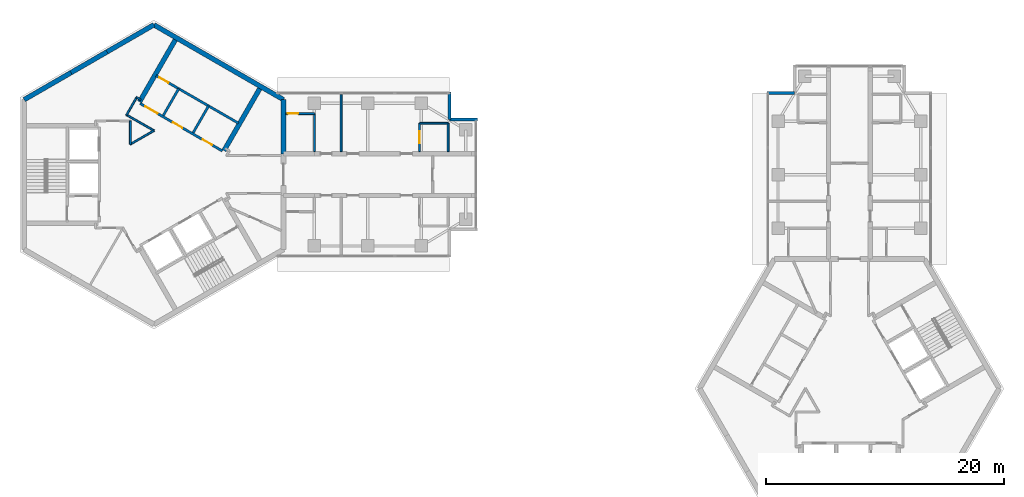
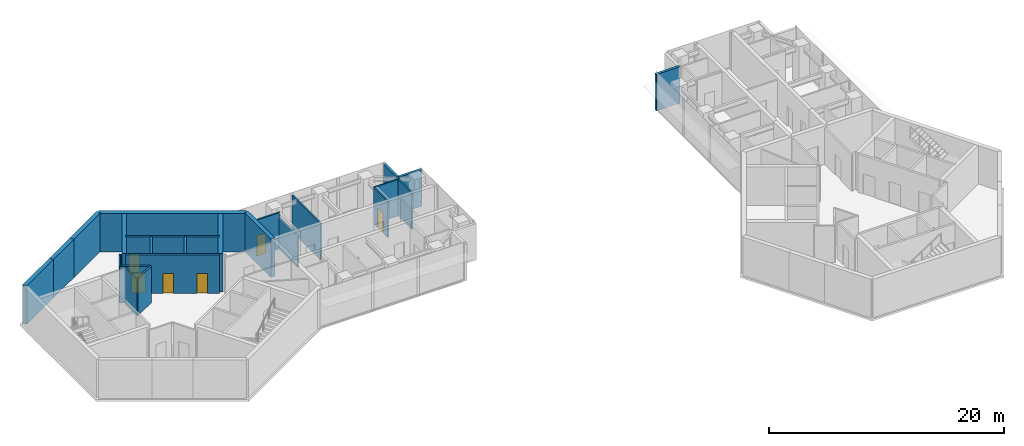
# One storey, part 7 of 11: 25 walls, 6 doors, 6 openings.
"""IFC4 building model written with IfcOpenShell, lengths in metres."""

from ifc_helpers import new_model, si_unit, direction, frame, frame_2d, origin, place, context, subcontext, project, spatial, rectangle, extrude, material, layer, layer_set, type_object, element, fill, save


model = new_model("IFC4")

# Units and contexts
model_context = context("Model", 3, precision=1e-05, world=origin(), true_north=direction((0.0, 1.0)))
body_context = subcontext(model_context, "Body", "Model", "MODEL_VIEW")
ifc_project = project(units=[si_unit("LENGTHUNIT", "METRE"), si_unit("AREAUNIT", "SQUARE_METRE"), si_unit("VOLUMEUNIT", "CUBIC_METRE"), si_unit("PLANEANGLEUNIT", "RADIAN"), si_unit("MASSUNIT", "GRAM", prefix="KILO")], contexts=[model_context])

# Site, building, storey
site_placement = place(None, origin())
site = spatial("IfcSite", under=ifc_project, at=site_placement, CompositionType="ELEMENT")
building_placement = place(site_placement, origin())
building = spatial("IfcBuilding", under=site, at=building_placement, Name="Upepo Twin Towers", CompositionType="ELEMENT")
storey_placement = place(building_placement, frame((0.0, 0.0, 255.5)))
storey = spatial("IfcBuildingStorey", under=building, at=storey_placement, Name="L62", CompositionType="ELEMENT", Elevation=255.5)

# Walls
ifc_material_1 = material(Name="Concrete C60/75", Category="concrete")
ifc_layer_1 = layer(ifc_material_1, 0.39990234375)
ifc_layer_set_1 = layer_set([ifc_layer_1], Name="Concrete C60/75")
wall_type_1 = type_object("IfcWallType", Name="Core wall 400 RC", PredefinedType="SHEAR", material=ifc_layer_set_1)
wall_1_placement = place(storey_placement, frame((10.908447265625, 1.75, 0.0), z_axis=(0.0, 0.0, 1.0), x_axis=(0.0, 1.0, 0.0)))
element("IfcWall", 1, at=wall_1_placement, inside=storey, type_object=wall_type_1, Name="T1 core wall 000 L", PredefinedType="SHEAR", context=body_context, shape_type="SweptSolid", body=[
    extrude(rectangle(XDim=4.5478515625, YDim=0.39990234375, at=frame_2d((2.27392578125, 0.0))), origin(), (0.0, 0.0, 1.0), 4.0),
])
wall_2_placement = place(storey_placement, frame((10.908447265625, 6.2978515625, 0.0), z_axis=(0.0, 0.0, 1.0), x_axis=(-0.866021940709, 0.500005998175, 0.0)))
element("IfcWall", 2, at=wall_2_placement, inside=storey, type_object=wall_type_1, Name="T1 core wall 060", PredefinedType="SHEAR", context=body_context, shape_type="SweptSolid", body=[
    extrude(rectangle(XDim=12.595947265625, YDim=0.39990234375, at=frame_2d((6.2978515625, 0.0))), origin(), (0.0, 0.0, 1.0), 4.0),
])
wall_3_placement = place(storey_placement, frame((0.0, 12.595947265625, 0.0), z_axis=(0.0, 0.0, 1.0), x_axis=(-0.866011268655, -0.500024481964, 0.0)))
element("IfcWall", 3, at=wall_3_placement, inside=storey, type_object=wall_type_1, Name="T1 core wall 120 R", PredefinedType="SHEAR", context=body_context, shape_type="SweptSolid", body=[
    extrude(rectangle(XDim=4.548095703125, YDim=0.39990234375, at=frame_2d((2.27392578125, 0.0))), origin(), (0.0, 0.0, 1.0), 4.0),
])
wall_4_placement = place(storey_placement, frame((-3.938720703125, 10.32177734375, 0.0), z_axis=(0.0, 0.0, 1.0), x_axis=(-0.866019471182, -0.500010275428, 0.0)))
element("IfcWall", 4, at=wall_4_placement, inside=storey, type_object=wall_type_1, Name="T1 core wall 120", PredefinedType="SHEAR", context=body_context, shape_type="SweptSolid", body=[
    extrude(rectangle(XDim=3.5, YDim=0.39990234375, at=frame_2d((1.75, 0.0))), origin(), (0.0, 0.0, 1.0), 4.0),
])
wall_5_placement = place(storey_placement, frame((-6.9697265625, 8.57177734375, 0.0), z_axis=(0.0, 0.0, 1.0), x_axis=(-0.866034513004, -0.499984222037, 0.0)))
element("IfcWall", 5, at=wall_5_placement, inside=storey, type_object=wall_type_1, Name="T1 core wall 120 L", PredefinedType="SHEAR", context=body_context, shape_type="SweptSolid", body=[
    extrude(rectangle(XDim=4.548095703125, YDim=0.39990234375, at=frame_2d((2.27392578125, 0.0))), origin(), (0.0, 0.0, 1.0), 4.0),
])
ifc_material_2 = material(Name="Blockwork with anodised aluminium cladding", Category="masonry")
ifc_layer_2 = layer(ifc_material_2, 0.25)
ifc_layer_set_2 = layer_set([ifc_layer_2], Name="Notch cladding wall 250, pale metal")
wall_type_2 = type_object("IfcWallType", Name="Notch cladding wall 250, pale metal", PredefinedType="STANDARD", material=ifc_layer_set_2)
for number, where, z_axis, x_axis, name in (
    (6, (24.875, 6.949951171875, 0.0), (0.0, 0.0, 1.0), (0.0, -1.0, 0.0), "T1 L62 wing A notch wall L1"),
    (7, (24.875, 4.625, 0.0), (0.0, 0.0, 1.0), (1.0, 0.0, 0.0), "T1 L62 wing A notch wall L2"),
    (8, (51.550048828125, 6.875, 0.0), (0.0, 0.0, 1.0), (1.0, 0.0, 0.0), "T2 L62 wing A notch wall L1"),
):
    element("IfcWall", number, at=place(storey_placement, frame(where, z_axis=z_axis, x_axis=x_axis)), inside=storey, type_object=wall_type_2, Name=name, PredefinedType="STANDARD", context=body_context, shape_type="SweptSolid", body=[
        extrude(rectangle(XDim=2.324951171875, YDim=0.25, at=frame_2d((1.16259765625, 0.0))), origin(), (0.0, 0.0, 1.0), 3.800048828125),
    ])

# Wall, openings, doors
ifc_material_3 = material(Name="Concrete C40/50", Category="concrete")
ifc_layer_3 = layer(ifc_material_3, 0.199951171875)
ifc_layer_set_3 = layer_set([ifc_layer_3], Name="Concrete C40/50")
wall_type_3 = type_object("IfcWallType", Name="Shaft wall 200 RC", PredefinedType="SHEAR", material=ifc_layer_set_3)
wall_6_placement = place(storey_placement, frame((5.76416015625, 1.983642578125, 0.0), z_axis=(0.0, 0.0, 1.0), x_axis=(-0.866026010844, 0.49999894854, 0.0)))
wall_6 = element("IfcWall", 9, at=wall_6_placement, inside=storey, type_object=wall_type_3, Name="T1 core W60 front wall", PredefinedType="SHEAR", context=body_context, shape_type="SweptSolid", body=[
    extrude(rectangle(XDim=8.0, YDim=0.199951171875, at=frame_2d((4.0, 0.0))), origin(), (0.0, 0.0, 1.0), 4.0),
])
opening_1_placement = place(wall_6_placement, frame((6.300048828125, 0.0, 0.0)))
opening_1 = element("IfcOpeningElement", 10, at=opening_1_placement, cuts=wall_6, Name="Opening D4", PredefinedType="OPENING", context=body_context, shape_type="SweptSolid", body=[
    extrude(rectangle(XDim=1.199951171875, YDim=2.10009765625, at=frame_2d((0.60009765625, 1.050048828125))), frame((0.0, 0.10986328125, 0.0), z_axis=(0.0, -1.0, 0.0), x_axis=(1.0, 0.0, 0.0)), (0.0, 0.0, 1.0), 0.219970703125),
])
opening_2_placement = place(wall_6_placement, frame((1.0, 0.0, 0.0)))
opening_2 = element("IfcOpeningElement", 11, at=opening_2_placement, cuts=wall_6, Name="Opening D9", PredefinedType="OPENING", context=body_context, shape_type="SweptSolid", body=[
    extrude(rectangle(XDim=0.89990234375, YDim=2.10009765625, at=frame_2d((0.449951171875, 1.050048828125))), frame((0.0, 0.10986328125, 0.0), z_axis=(0.0, -1.0, 0.0), x_axis=(1.0, 0.0, 0.0)), (0.0, 0.0, 1.0), 0.219970703125),
])
opening_3_placement = place(wall_6_placement, frame((3.89990234375, 0.0, 0.0)))
opening_3 = element("IfcOpeningElement", 12, at=opening_3_placement, cuts=wall_6, Name="Opening D9", PredefinedType="OPENING", context=body_context, shape_type="SweptSolid", body=[
    extrude(rectangle(XDim=0.89990234375, YDim=2.10009765625, at=frame_2d((0.449951171875, 1.050048828125))), frame((0.0, 0.10986328125, 0.0), z_axis=(0.0, -1.0, 0.0), x_axis=(1.0, 0.0, 0.0)), (0.0, 0.0, 1.0), 0.219970703125),
])
ifc_material_4 = material(Name="Timber doorset", Category="wood")
door_type_1 = type_object("IfcDoorType", Name="Lobby door 1200 FD60", OperationType="SINGLE_SWING_LEFT", PredefinedType="DOOR", material=ifc_material_4)
door_1_placement = place(opening_1_placement, origin())
door_1 = element("IfcDoor", 13, at=door_1_placement, inside=storey, type_object=door_type_1, Name="T1 L62 W60 lobby door", OperationType="SINGLE_SWING_RIGHT", OverallHeight=2.10009765625, OverallWidth=1.199951171875, PredefinedType="DOOR", context=body_context, shape_type="SweptSolid", body=[
    extrude(rectangle(XDim=1.199951171875, YDim=2.10009765625, at=frame_2d((0.60009765625, 1.050048828125))), frame((0.0, 0.02490234375, 0.0), z_axis=(0.0, -1.0, 0.0), x_axis=(1.0, 0.0, 0.0)), (0.0, 0.0, 1.0), 0.050048828125),
])
fill(opening_1, door_1)
ifc_material_5 = material(Name="Timber doorset", Category="wood")
door_type_2 = type_object("IfcDoorType", Name="Riser door 900 FD60", OperationType="SINGLE_SWING_LEFT", PredefinedType="DOOR", material=ifc_material_5)
door_2_placement = place(opening_2_placement, origin())
door_2 = element("IfcDoor", 14, at=door_2_placement, inside=storey, type_object=door_type_2, Name="T1 L62 av equipment store door", OperationType="SINGLE_SWING_LEFT", OverallHeight=2.10009765625, OverallWidth=0.89990234375, PredefinedType="DOOR", context=body_context, shape_type="SweptSolid", body=[
    extrude(rectangle(XDim=0.89990234375, YDim=2.10009765625, at=frame_2d((0.449951171875, 1.050048828125))), frame((0.0, 0.02490234375, 0.0), z_axis=(0.0, -1.0, 0.0), x_axis=(1.0, 0.0, 0.0)), (0.0, 0.0, 1.0), 0.050048828125),
])
fill(opening_2, door_2)
door_3_placement = place(opening_3_placement, origin())
door_3 = element("IfcDoor", 15, at=door_3_placement, inside=storey, type_object=door_type_2, Name="T1 L62 pantry store door", OperationType="SINGLE_SWING_RIGHT", OverallHeight=2.10009765625, OverallWidth=0.89990234375, PredefinedType="DOOR", context=body_context, shape_type="SweptSolid", body=[
    extrude(rectangle(XDim=0.89990234375, YDim=2.10009765625, at=frame_2d((0.449951171875, 1.050048828125))), frame((0.0, 0.02490234375, 0.0), z_axis=(0.0, -1.0, 0.0), x_axis=(1.0, 0.0, 0.0)), (0.0, 0.0, 1.0), 0.050048828125),
])
fill(opening_3, door_3)

# Walls
for number, where, z_axis, x_axis, name in (
    (16, (3.302734375, 3.520263671875, 0.0), (0.0, 0.0, 1.0), (0.499936506574, 0.866062058628, 0.0), "T1 core W60 shaft divider"),
    (17, (0.791259765625, 4.97021484375, 0.0), (0.0, 0.0, 1.0), (0.499936506574, 0.866062058628, 0.0), "T1 core W60 lobby wall"),
):
    element("IfcWall", number, at=place(storey_placement, frame(where, z_axis=z_axis, x_axis=x_axis)), inside=storey, type_object=wall_type_3, Name=name, PredefinedType="SHEAR", context=body_context, shape_type="SweptSolid", body=[
        extrude(rectangle(XDim=2.599853515625, YDim=0.199951171875, at=frame_2d((1.2998046875, 0.0))), origin(), (0.0, 0.0, 1.0), 4.0),
    ])

# Wall, opening, door
wall_7_placement = place(storey_placement, frame((7.114013671875, 4.322021484375, 0.0), z_axis=(0.0, 0.0, 1.0), x_axis=(-0.866026010844, 0.49999894854, 0.0)))
wall_7 = element("IfcWall", 18, at=wall_7_placement, inside=storey, type_object=wall_type_3, Name="T1 core W60 stair wall", PredefinedType="SHEAR", context=body_context, shape_type="SweptSolid", body=[
    extrude(rectangle(XDim=8.0, YDim=0.199951171875, at=frame_2d((4.0, 0.0))), origin(), (0.0, 0.0, 1.0), 4.0),
])
opening_4_placement = place(wall_7_placement, frame((6.800048828125, 0.0, 0.0)))
opening_4 = element("IfcOpeningElement", 19, at=opening_4_placement, cuts=wall_7, Name="Opening D9", PredefinedType="OPENING", context=body_context, shape_type="SweptSolid", body=[
    extrude(rectangle(XDim=0.89990234375, YDim=2.10009765625, at=frame_2d((0.449951171875, 1.050048828125))), frame((0.0, 0.10986328125, 0.0), z_axis=(0.0, -1.0, 0.0), x_axis=(1.0, 0.0, 0.0)), (0.0, 0.0, 1.0), 0.219970703125),
])
door_4_placement = place(opening_4_placement, origin())
door_4 = element("IfcDoor", 20, at=door_4_placement, inside=storey, type_object=door_type_2, Name="T1 L62 riser door", OperationType="SINGLE_SWING_RIGHT", OverallHeight=2.10009765625, OverallWidth=0.89990234375, PredefinedType="DOOR", context=body_context, shape_type="SweptSolid", body=[
    extrude(rectangle(XDim=0.89990234375, YDim=2.10009765625, at=frame_2d((0.449951171875, 1.050048828125))), frame((0.0, 0.02490234375, 0.0), z_axis=(0.0, -1.0, 0.0), x_axis=(1.0, 0.0, 0.0)), (0.0, 0.0, 1.0), 0.050048828125),
])
fill(opening_4, door_4)

# Walls
ifc_material_6 = material(Name="Concrete C40/50", Category="concrete")
ifc_layer_4 = layer(ifc_material_6, 0.39990234375)
ifc_layer_set_4 = layer_set([ifc_layer_4], Name="Concrete C40/50")
wall_type_4 = type_object("IfcWallType", Name="Shaft wall 400 RC", PredefinedType="SHEAR", material=ifc_layer_set_4)
for number, where, z_axis, x_axis, name in (
    (21, (-1.20068359375, 6.120361328125, 0.0), (0.0, 0.0, 1.0), (0.499997979876, 0.866026570101, 0.0), "T1 core W60 side wall N"),
    (22, (5.900634765625, 2.020263671875, 0.0), (0.0, 0.0, 1.0), (0.499997979876, 0.866026570101, 0.0), "T1 core W60 side wall S"),
):
    element("IfcWall", number, at=place(storey_placement, frame(where, z_axis=z_axis, x_axis=x_axis)), inside=storey, type_object=wall_type_4, Name=name, PredefinedType="SHEAR", context=body_context, shape_type="SweptSolid", body=[
        extrude(rectangle(XDim=6.00830078125, YDim=0.39990234375, at=frame_2d((3.004150390625, 0.0))), origin(), (0.0, 0.0, 1.0), 4.0),
    ])
ifc_material_7 = material(Name="Gypsum board on steel studs", Category="steel")
ifc_layer_5 = layer(ifc_material_7, 0.14990234375)
ifc_layer_set_5 = layer_set([ifc_layer_5], Name="Teaching partition 150 acoustic")
wall_type_5 = type_object("IfcWallType", Name="Teaching partition 150 acoustic", PredefinedType="PARTITIONING", material=ifc_layer_set_5)
wall_8_placement = place(storey_placement, frame((15.75, 1.925048828125, 0.0), z_axis=(0.0, 0.0, 1.0), x_axis=(0.0, 1.0, 0.0)))
element("IfcWall", 23, at=wall_8_placement, inside=storey, type_object=wall_type_5, Name="T1 partition AL at 15.75", PredefinedType="PARTITIONING", context=body_context, shape_type="SweptSolid", body=[
    extrude(rectangle(XDim=4.824951171875, YDim=0.14990234375, at=frame_2d((2.41259765625, 0.0))), origin(), (0.0, 0.0, 1.0), 3.800048828125),
])
wall_9_placement = place(storey_placement, frame((22.35009765625, 4.324951171875, 0.0), z_axis=(0.0, 0.0, 1.0), x_axis=(1.0, 0.0, 0.0)))
element("IfcWall", 24, at=wall_9_placement, inside=storey, type_object=wall_type_5, Name="T1 inner room partition AL at 22.35", PredefinedType="PARTITIONING", context=body_context, shape_type="SweptSolid", body=[
    extrude(rectangle(XDim=2.39990234375, YDim=0.14990234375, at=frame_2d((1.199951171875, 0.0))), origin(), (0.0, 0.0, 1.0), 3.800048828125),
])

# Wall, opening, door
wall_10_placement = place(storey_placement, frame((22.35009765625, 1.925048828125, 0.0), z_axis=(0.0, 0.0, 1.0), x_axis=(0.0, 1.0, 0.0)))
wall_10 = element("IfcWall", 25, at=wall_10_placement, inside=storey, type_object=wall_type_5, Name="T1 inner room partition AL end at 22.35", PredefinedType="PARTITIONING", context=body_context, shape_type="SweptSolid", body=[
    extrude(rectangle(XDim=2.39990234375, YDim=0.14990234375, at=frame_2d((1.199951171875, 0.0))), origin(), (0.0, 0.0, 1.0), 3.800048828125),
])
opening_5_placement = place(wall_10_placement, frame((0.699951171875, 0.0, 0.0)))
opening_5 = element("IfcOpeningElement", 26, at=opening_5_placement, cuts=wall_10, Name="Opening D1", PredefinedType="OPENING", context=body_context, shape_type="SweptSolid", body=[
    extrude(rectangle(XDim=1.0, YDim=2.10009765625, at=frame_2d((0.5, 1.050048828125))), frame((0.0, 0.0849609375, 0.0), z_axis=(0.0, -1.0, 0.0), x_axis=(1.0, 0.0, 0.0)), (0.0, 0.0, 1.0), 0.169921875),
])
ifc_material_8 = material(Name="Timber doorset", Category="wood")
door_type_3 = type_object("IfcDoorType", Name="Room door 1000 FD30", OperationType="SINGLE_SWING_LEFT", PredefinedType="DOOR", material=ifc_material_8)
door_5_placement = place(opening_5_placement, origin())
door_5 = element("IfcDoor", 27, at=door_5_placement, inside=storey, type_object=door_type_3, Name="T1 L62 inner room door", OperationType="SINGLE_SWING_LEFT", OverallHeight=2.10009765625, OverallWidth=1.0, PredefinedType="DOOR", context=body_context, shape_type="SweptSolid", body=[
    extrude(rectangle(XDim=1.0, YDim=2.10009765625, at=frame_2d((0.5, 1.050048828125))), frame((0.0, 0.02490234375, 0.0), z_axis=(0.0, -1.0, 0.0), x_axis=(1.0, 0.0, 0.0)), (0.0, 0.0, 1.0), 0.050048828125),
])
fill(opening_5, door_5)

# Wall
wall_11_placement = place(storey_placement, frame((24.75, 1.925048828125, 0.0), z_axis=(0.0, 0.0, 1.0), x_axis=(0.0, 1.0, 0.0)))
element("IfcWall", 28, at=wall_11_placement, inside=storey, type_object=wall_type_5, Name="T1 inner room partition AL end at 24.75", PredefinedType="PARTITIONING", context=body_context, shape_type="SweptSolid", body=[
    extrude(rectangle(XDim=2.39990234375, YDim=0.14990234375, at=frame_2d((1.199951171875, 0.0))), origin(), (0.0, 0.0, 1.0), 3.800048828125),
])

# Wall, opening, door
wall_12_placement = place(storey_placement, frame((11.10791015625, 5.125, 0.0), z_axis=(0.0, 0.0, 1.0), x_axis=(1.0, 0.0, 0.0)))
wall_12 = element("IfcWall", 29, at=wall_12_placement, inside=storey, type_object=wall_type_5, Name="T1 WC bay partition AL at 11.11", PredefinedType="PARTITIONING", context=body_context, shape_type="SweptSolid", body=[
    extrude(rectangle(XDim=2.400146484375, YDim=0.14990234375, at=frame_2d((1.2001953125, 0.0))), origin(), (0.0, 0.0, 1.0), 3.800048828125),
])
opening_6_placement = place(wall_12_placement, frame((0.14990234375, 0.0, 0.0)))
opening_6 = element("IfcOpeningElement", 30, at=opening_6_placement, cuts=wall_12, Name="Opening D14", PredefinedType="OPENING", context=body_context, shape_type="SweptSolid", body=[
    extrude(rectangle(XDim=0.89990234375, YDim=2.10009765625, at=frame_2d((0.449951171875, 1.050048828125))), frame((0.0, 0.0849609375, 0.0), z_axis=(0.0, -1.0, 0.0), x_axis=(1.0, 0.0, 0.0)), (0.0, 0.0, 1.0), 0.169921875),
])
ifc_material_9 = material(Name="Timber doorset", Category="wood")
door_type_4 = type_object("IfcDoorType", Name="Office door 900 FD30", OperationType="SINGLE_SWING_LEFT", PredefinedType="DOOR", material=ifc_material_9)
door_6_placement = place(opening_6_placement, origin())
door_6 = element("IfcDoor", 31, at=door_6_placement, inside=storey, type_object=door_type_4, Name="T1 L62 WC bay inner room door", OperationType="SINGLE_SWING_LEFT", OverallHeight=2.10009765625, OverallWidth=0.89990234375, PredefinedType="DOOR", context=body_context, shape_type="SweptSolid", body=[
    extrude(rectangle(XDim=0.89990234375, YDim=2.10009765625, at=frame_2d((0.449951171875, 1.050048828125))), frame((0.0, 0.02490234375, 0.0), z_axis=(0.0, -1.0, 0.0), x_axis=(1.0, 0.0, 0.0)), (0.0, 0.0, 1.0), 0.050048828125),
])
fill(opening_6, door_6)

# Walls
wall_13_placement = place(storey_placement, frame((13.508056640625, 1.925048828125, 0.0), z_axis=(0.0, 0.0, 1.0), x_axis=(0.0, 1.0, 0.0)))
element("IfcWall", 32, at=wall_13_placement, inside=storey, type_object=wall_type_5, Name="T1 WC bay partition AL end at 13.51", PredefinedType="PARTITIONING", context=body_context, shape_type="SweptSolid", body=[
    extrude(rectangle(XDim=3.199951171875, YDim=0.14990234375, at=frame_2d((1.60009765625, 0.0))), origin(), (0.0, 0.0, 1.0), 3.266845703125),
])
wall_14_placement = place(storey_placement, frame((-1.97509765625, 4.52001953125, 0.0), z_axis=(0.0, 0.0, 1.0), x_axis=(0.0, -1.0, 0.0)))
element("IfcWall", 33, at=wall_14_placement, inside=storey, type_object=wall_type_5, Name="T1 core room partition 8", PredefinedType="PARTITIONING", context=body_context, shape_type="SweptSolid", body=[
    extrude(rectangle(XDim=1.985107421875, YDim=0.14990234375, at=frame_2d((0.99267578125, 0.0))), origin(), (0.0, 0.0, 1.0), 3.800048828125),
])
wall_15_placement = place(storey_placement, frame((-1.992431640625, 2.544921875, 0.0), z_axis=(0.0, 0.0, 1.0), x_axis=(0.866059450854, 0.499941024108, 0.0)))
element("IfcWall", 34, at=wall_15_placement, inside=storey, type_object=wall_type_5, Name="T1 core room partition 9", PredefinedType="PARTITIONING", context=body_context, shape_type="SweptSolid", body=[
    extrude(rectangle(XDim=2.320556640625, YDim=0.14990234375, at=frame_2d((1.16015625, 0.0))), origin(), (0.0, 0.0, 1.0), 3.800048828125),
])
wall_16_placement = place(storey_placement, frame((0.017333984375, 3.68505859375, 0.0), z_axis=(0.0, 0.0, 1.0), x_axis=(-0.866036099759, 0.499981473571, 0.0)))
element("IfcWall", 35, at=wall_16_placement, inside=storey, type_object=wall_type_5, Name="T1 core room partition 10", PredefinedType="PARTITIONING", context=body_context, shape_type="SweptSolid", body=[
    extrude(rectangle(XDim=2.6923828125, YDim=0.14990234375, at=frame_2d((1.34619140625, 0.0))), origin(), (0.0, 0.0, 1.0), 3.800048828125),
])
wall_17_placement = place(storey_placement, frame((-2.30712890625, 5.00390625, 0.0), z_axis=(0.0, 0.0, 1.0), x_axis=(0.500062521093, 0.865989304205, 0.0)))
element("IfcWall", 36, at=wall_17_placement, inside=storey, type_object=wall_type_5, Name="T1 core room partition 11", PredefinedType="PARTITIONING", context=body_context, shape_type="SweptSolid", body=[
    extrude(rectangle(XDim=1.739990234375, YDim=0.14990234375, at=frame_2d((0.8701171875, 0.0))), origin(), (0.0, 0.0, 1.0), 3.800048828125),
])
wall_18_placement = place(storey_placement, frame((-1.46435546875, 6.50341796875, 0.0), z_axis=(0.0, 0.0, 1.0), x_axis=(0.866138304741, -0.499804398801, 0.0)))
element("IfcWall", 37, at=wall_18_placement, inside=storey, type_object=wall_type_5, Name="T1 core room partition 12", PredefinedType="PARTITIONING", context=body_context, shape_type="SweptSolid", body=[
    extrude(rectangle(XDim=0.429931640625, YDim=0.14990234375, at=frame_2d((0.21484375, 0.0))), origin(), (0.0, 0.0, 1.0), 3.800048828125),
])

save(model, "model.ifc")
